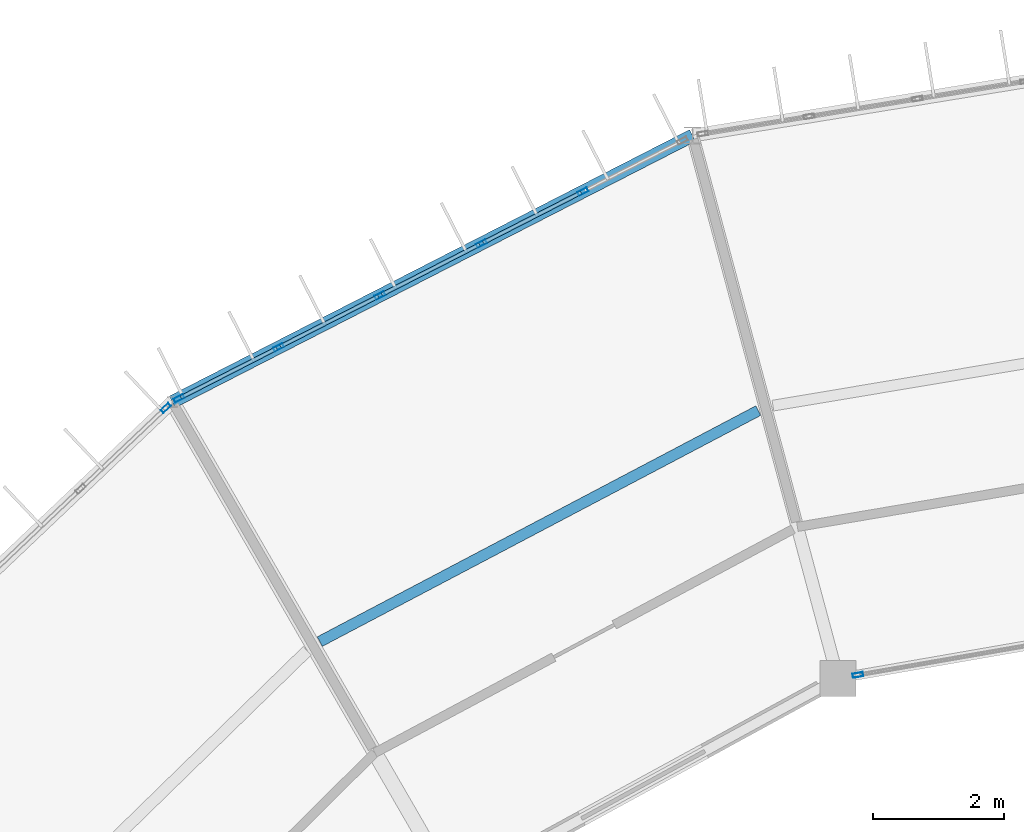
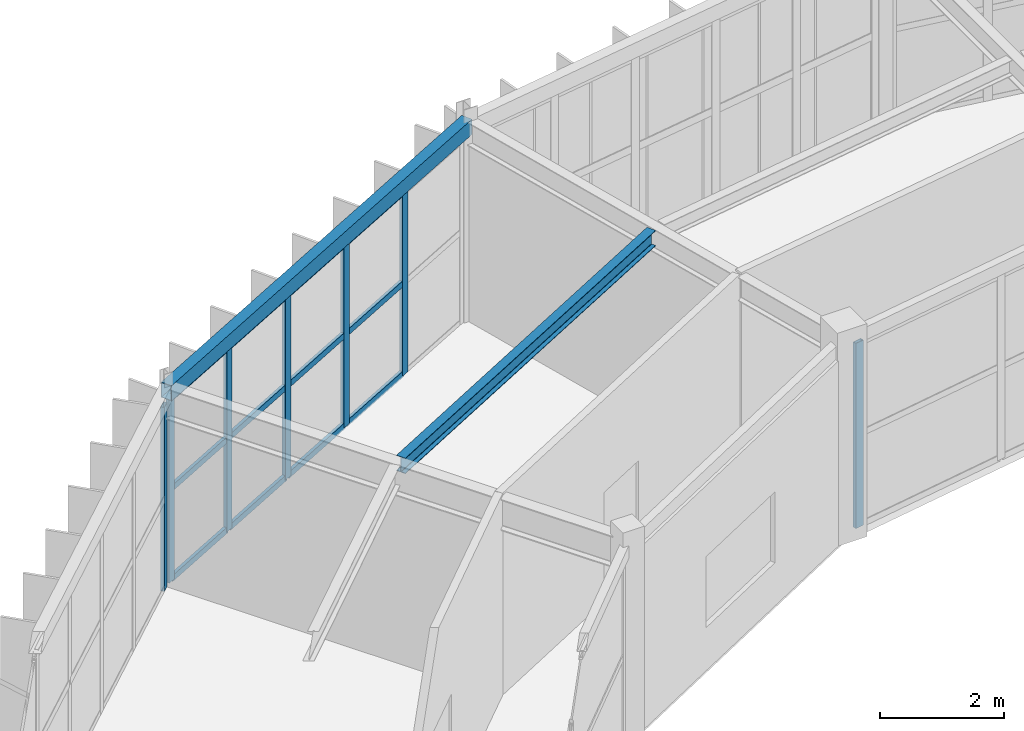
# One storey, part 90 of 157: 19 members, 2 beams, 3 elements without a shape of their own.
"""IFC4 building model written with IfcOpenShell, lengths in metres."""

import ifcopenshell
import ifcopenshell.guid

model = None  # the IFC model being written
_history = None  # IfcOwnerHistory: only IFC2X3 demands one
_inside = {}  # id of a spatial element -> (the spatial element, [elements in it])
_under = {}  # id of a project, library or spatial element -> (it, [spatial elements below it])
_declared = {}  # id of a project -> (the project, [libraries it declares])
_typed = {}  # id of a type object -> (the type object, [elements of that type])
_made_of = {}  # id of a material, layer set ... -> (it, [elements and type objects made of it])


def new_model(schema):
    """Start an empty IFC model of exactly this schema.

    Asked for "IFC4X3", IfcOpenShell would pick the latest addendum, in which some entities
    have other attributes; the version numbers below select the first issue.
    IFC2X3 requires an IfcOwnerHistory on every rooted entity: one is made here for all.
    """
    global model, _history
    if schema == "IFC4X3":
        model = ifcopenshell.file(schema_version=(4, 3, 0, 0))
    else:
        model = ifcopenshell.file(schema=schema)
    _inside.clear()
    _under.clear()
    _declared.clear()
    _typed.clear()
    _made_of.clear()
    _history = None
    if model.schema == "IFC2X3":
        org = make("IfcOrganization", Name="unknown")
        user = make(
            "IfcPersonAndOrganization",
            ThePerson=make("IfcPerson", FamilyName="unknown"),
            TheOrganization=org,
        )
        app = make(
            "IfcApplication",
            ApplicationDeveloper=org,
            Version="unknown",
            ApplicationFullName="unknown",
            ApplicationIdentifier="unknown",
        )
        _history = make(
            "IfcOwnerHistory",
            OwningUser=user,
            OwningApplication=app,
            ChangeAction="ADDED",
            CreationDate=0,
        )
    return model


def make(cls, **values):
    """One entity of the class cls with the attributes given. An attribute that is None is left unset."""
    return model.create_entity(
        cls, **{name: value for name, value in values.items() if value is not None}
    )


def rooted(cls, **values):
    """An entity with a GlobalId (a new one), such as an element, a storey or a relation."""
    return make(cls, GlobalId=ifcopenshell.guid.new(), OwnerHistory=_history, **values)


def si_unit(unit_type, name, prefix=None):
    """IfcSIUnit, for example si_unit("LENGTHUNIT", "METRE", prefix="MILLI")."""
    return make("IfcSIUnit", UnitType=unit_type, Prefix=prefix, Name=name)


def assignment(units):
    """IfcUnitAssignment: the units of a project."""
    return None if units is None else make("IfcUnitAssignment", Units=units)


def point(xyz):
    """IfcCartesianPoint."""
    return None if xyz is None else make("IfcCartesianPoint", Coordinates=xyz)


def direction(xyz):
    """IfcDirection."""
    return None if xyz is None else make("IfcDirection", DirectionRatios=xyz)


def frame(location, z_axis=None, x_axis=None):
    """IfcAxis2Placement3D, a coordinate frame: its origin and axes. An axis left out is left unset."""
    return make(
        "IfcAxis2Placement3D",
        Location=point(location),
        Axis=direction(z_axis),
        RefDirection=direction(x_axis),
    )


def frame_2d(location, x_axis=None):
    """IfcAxis2Placement2D, a coordinate frame in the plane: its origin and x axis."""
    return make(
        "IfcAxis2Placement2D", Location=point(location), RefDirection=direction(x_axis)
    )


def origin():
    """The frame at (0, 0, 0) with its axes left unset."""
    return frame((0.0, 0.0, 0.0))


def origin_2d():
    """The frame at (0, 0) in the plane with its x axis left unset."""
    return frame_2d((0.0, 0.0))


def place(relative_to, where):
    """IfcLocalPlacement: puts the frame where relative to a parent placement (None: the world)."""
    return make(
        "IfcLocalPlacement", PlacementRelTo=relative_to, RelativePlacement=where
    )


def context(
    kind, dimensions, precision=None, world=None, true_north=None, identifier=None
):
    """IfcGeometricRepresentationContext, for example the 3D "Model" context."""
    return make(
        "IfcGeometricRepresentationContext",
        ContextIdentifier=identifier,
        ContextType=kind,
        CoordinateSpaceDimension=dimensions,
        Precision=precision,
        WorldCoordinateSystem=world,
        TrueNorth=true_north,
    )


def subcontext(parent, identifier, kind, view, scale=None):
    """IfcGeometricRepresentationSubContext, for example "Body" below "Model"."""
    return make(
        "IfcGeometricRepresentationSubContext",
        ContextIdentifier=identifier,
        ContextType=kind,
        ParentContext=parent,
        TargetScale=scale,
        TargetView=view,
    )


def project(units=None, contexts=None):
    """IfcProject with its units and contexts."""
    return rooted(
        "IfcProject",
        Name="project",
        RepresentationContexts=contexts,
        UnitsInContext=assignment(units),
    )


def spatial(cls, under=None, at=None, **own):
    """A site, building, storey or space (cls), placed at a placement, below another one or the project."""
    s = rooted(cls, ObjectPlacement=at, **own)
    if under is not None:
        _under.setdefault(under.id(), (under, []))[1].append(s)
    return s


def profile(cls, at=None, kind="AREA", **sizes):
    """A parametric profile (cls). Its sizes go by their IFC names, for example OverallWidth=200.0."""
    return make(cls, ProfileType=kind, Position=at, **sizes)


def hollow_rectangle(**sizes):
    """IfcRectangleHollowProfileDef."""
    return profile("IfcRectangleHollowProfileDef", **sizes)


def i_section(**sizes):
    """IfcIShapeProfileDef."""
    return profile("IfcIShapeProfileDef", **sizes)


def extrude(swept, where, along, depth):
    """IfcExtrudedAreaSolid: the profile swept, set in the frame where, extruded along a direction by depth."""
    return make(
        "IfcExtrudedAreaSolid",
        SweptArea=swept,
        Position=where,
        ExtrudedDirection=direction(along),
        Depth=depth,
    )


def shape(context_of_items, identifier, shape_type, items):
    """IfcShapeRepresentation: the items that make up one representation, for example the "Body"."""
    return make(
        "IfcShapeRepresentation",
        ContextOfItems=context_of_items,
        RepresentationIdentifier=identifier,
        RepresentationType=shape_type,
        Items=items,
    )


def material(Name=None, Category=None):
    """IfcMaterial."""
    return make("IfcMaterial", Name=Name, Category=Category)


def material_profile(
    of_material, cross_section, Name=None, Category=None, Priority=None
):
    """IfcMaterialProfile: a cross section and its material."""
    return make(
        "IfcMaterialProfile",
        Name=Name,
        Material=of_material,
        Profile=cross_section,
        Priority=Priority,
        Category=Category,
    )


def profile_set(profiles, Name=None, composite=None):
    """IfcMaterialProfileSet."""
    return make(
        "IfcMaterialProfileSet",
        Name=Name,
        MaterialProfiles=profiles,
        CompositeProfile=composite,
    )


def made_of(thing, what):
    """Note that an element or type object is made of a material, layer set ...; save() writes the relation."""
    if what is not None:
        _made_of.setdefault(what.id(), (what, []))[1].append(thing)
    return thing


def type_object(cls, material=None, **own):
    """A type object (cls), such as IfcWallType, which elements share."""
    return made_of(rooted(cls, **own), material)


def element(
    cls,
    number,
    at=None,
    inside=None,
    cuts=None,
    type_object=None,
    material=None,
    context=None,
    identifier="Body",
    shape_type=None,
    held_by="IfcProductDefinitionShape",
    body=None,
    shapes=None,
    **own,
):
    """One element of the class cls, such as IfcWall. Its Tag is "e" and its number.

    at: its placement. inside: the storey or other place that contains it. cuts: it is an
    opening in that element (IfcRelVoidsElement). A single representation is given by context,
    identifier, shape_type and body (its items); several are given by shapes. held_by: the class
    of the entity that holds the representations. save() writes the other relations.
    """
    e = rooted(cls, Tag="e%d" % number, ObjectPlacement=at, **own)
    if body is not None:
        shapes = [shape(context, identifier, shape_type, body)]
    if shapes is not None:
        e.Representation = make(held_by, Representations=shapes)
    if inside is not None:
        _inside.setdefault(inside.id(), (inside, []))[1].append(e)
    if cuts is not None:
        rooted(
            "IfcRelVoidsElement", RelatingBuildingElement=cuts, RelatedOpeningElement=e
        )
    if type_object is not None:
        _typed.setdefault(type_object.id(), (type_object, []))[1].append(e)
    return made_of(e, material)


def aggregate(whole, parts):
    """IfcRelAggregates: a whole, such as a stair, and the parts it consists of."""
    return rooted("IfcRelAggregates", RelatingObject=whole, RelatedObjects=parts)


def save(model, path):
    """Write the relations noted so far, then the file.

    IfcRelAggregates (storeys below a building ...), IfcRelContainedInSpatialStructure (elements
    in a storey), IfcRelDefinesByType, IfcRelAssociatesMaterial and IfcRelDeclares: one each for
    every whole, place, type object, material and project.
    """
    for whole, parts in _under.values():
        aggregate(whole, parts)
    for where, things in _inside.values():
        rooted(
            "IfcRelContainedInSpatialStructure",
            RelatedElements=things,
            RelatingStructure=where,
        )
    for kind, things in _typed.values():
        rooted("IfcRelDefinesByType", RelatedObjects=things, RelatingType=kind)
    for what, things in _made_of.values():
        rooted("IfcRelAssociatesMaterial", RelatedObjects=things, RelatingMaterial=what)
    for by, libraries in _declared.values():
        rooted("IfcRelDeclares", RelatingContext=by, RelatedDefinitions=libraries)
    model.write(path)


model = new_model("IFC4")

# Units and contexts
model_context = context("Model", 3, precision=1e-05, world=origin(), true_north=direction((0.0, 1.0)))
body_context = subcontext(model_context, "Body", "Model", "MODEL_VIEW")
ifc_project = project(units=[si_unit("LENGTHUNIT", "METRE"), si_unit("AREAUNIT", "SQUARE_METRE"), si_unit("VOLUMEUNIT", "CUBIC_METRE"), si_unit("PLANEANGLEUNIT", "RADIAN"), si_unit("MASSUNIT", "GRAM", prefix="KILO")], contexts=[model_context])

# Site, building, storey
site_placement = place(None, origin())
site = spatial("IfcSite", under=ifc_project, at=site_placement, CompositionType="ELEMENT")
building_placement = place(site_placement, origin())
building = spatial("IfcBuilding", under=site, at=building_placement, Name="Karori Crest Natural Sciences Institute", CompositionType="ELEMENT")
storey_placement = place(building_placement, frame((0.0, 0.0, 13.300048828125)))
storey = spatial("IfcBuildingStorey", under=building, at=storey_placement, Name="L03", CompositionType="ELEMENT", Elevation=13.300048828125)

# Beams
ifc_material_1 = material(Name="Structural steel AS/NZS 3679.1 Grade 350", Category="steel")
ifc_material_profile_1 = material_profile(ifc_material_1, i_section(OverallWidth=0.166015625, OverallDepth=0.306884765625, WebThickness=0.006591796875, FlangeThickness=0.01171875, FilletRadius=0.010986328125, at=origin_2d()), Name="310UB46.2")
ifc_profile_set_1 = profile_set([ifc_material_profile_1], Name="Structural steel AS/NZS 3679.1 Grade 350")
beam_type_1 = type_object("IfcBeamType", Name="BT-09", PredefinedType="BEAM", material=ifc_profile_set_1)
beam_1_placement = place(storey_placement, frame((58.86572265625, 85.100341796875, 3.786376953125), z_axis=(-0.884748465601, -0.466068828197, 0.0), x_axis=(0.466068828197, -0.884748465601, 0.0)))
element("IfcBeam", 1, at=beam_1_placement, inside=storey, type_object=beam_type_1, Name="Beam B-0390", PredefinedType="BEAM", context=body_context, shape_type="SweptSolid", body=[
    extrude(i_section(OverallWidth=0.166015625, OverallDepth=0.306884765625, WebThickness=0.006591796875, FlangeThickness=0.01171875, FilletRadius=0.010986328125, at=origin_2d()), origin(), (0.0, 0.0, 1.0), 7.58349609375),
])
ifc_material_2 = material(Name="Hollow structural steel AS/NZS 1163 Grade C350", Category="steel")
ifc_material_profile_2 = material_profile(ifc_material_2, hollow_rectangle(XDim=0.199951171875, YDim=0.300048828125, WallThickness=0.010009765625, at=origin_2d()), Name="RHS300x200x10")
ifc_profile_set_2 = profile_set([ifc_material_profile_2], Name="Hollow structural steel AS/NZS 1163 Grade C350")
beam_type_2 = type_object("IfcBeamType", Name="BT-15", PredefinedType="SPANDREL", material=ifc_profile_set_2)
beam_2_placement = place(storey_placement, frame((57.85888671875, 89.309814453125, 3.7900390625), z_axis=(-0.890071733872, -0.455820478436, 0.0), x_axis=(0.455820478436, -0.890071733872, 0.0)))
element("IfcBeam", 2, at=beam_2_placement, inside=storey, type_object=beam_type_2, Name="Beam B-0387", PredefinedType="SPANDREL", context=body_context, shape_type="SweptSolid", body=[
    extrude(hollow_rectangle(XDim=0.199951171875, YDim=0.300048828125, WallThickness=0.010009765625, at=origin_2d()), origin(), (0.0, 0.0, 1.0), 8.94189453125),
])

# Curtain wall, member
ifc_material_3 = material(Name="Anodised architectural aluminium 6063-T6", Category="aluminium")
curtain_wall_type_1 = type_object("IfcCurtainWallType", Name="CWT-12", PredefinedType="NOTDEFINED", material=ifc_material_3)
curtain_wall_1_placement = place(storey_placement, origin())
curtain_wall_1 = element("IfcCurtainWall", 3, at=curtain_wall_1_placement, inside=storey, type_object=curtain_wall_type_1, Name="Curtain wall CW-0110", PredefinedType="NOTDEFINED")
ifc_material_profile_3 = material_profile(ifc_material_3, hollow_rectangle(XDim=0.06494140625, YDim=0.159912109375, WallThickness=0.00390625, at=origin_2d()), Name="CWM160x65x4")
ifc_profile_set_3 = profile_set([ifc_material_profile_3], Name="Anodised architectural aluminium 6063-T6")
member_type_1 = type_object("IfcMemberType", Name="CWM-01", PredefinedType="MULLION", material=ifc_profile_set_3)
member_1_placement = place(storey_placement, frame((60.389892578125, 81.0556640625, 0.0), z_axis=(0.0, 0.0, 1.0), x_axis=(0.171173924291, -0.985240827231, 0.0)))
member_1 = element("IfcMember", 4, at=member_1_placement, type_object=member_type_1, Name="CW-0110 mullion 3", PredefinedType="MULLION", context=body_context, shape_type="SweptSolid", body=[
    extrude(hollow_rectangle(XDim=0.06494140625, YDim=0.159912109375, WallThickness=0.00390625, at=origin_2d()), origin(), (0.0, 0.0, 1.0), 3.64990234375),
])
aggregate(curtain_wall_1, [member_1])

# Curtain wall, members
curtain_wall_type_2 = type_object("IfcCurtainWallType", Name="CWT-08", PredefinedType="NOTDEFINED", material=ifc_material_3)
curtain_wall_2_placement = place(storey_placement, origin())
curtain_wall_2 = element("IfcCurtainWall", 5, at=curtain_wall_2_placement, inside=storey, type_object=curtain_wall_type_2, Name="Curtain wall CW-0111", PredefinedType="NOTDEFINED")
member_2_placement = place(storey_placement, frame((50.004150390625, 85.287109375, 0.0), z_axis=(0.0, 0.0, 1.0), x_axis=(-0.455828878252, 0.890067432138, 0.0)))
member_2 = element("IfcMember", 6, at=member_2_placement, type_object=member_type_1, Name="CW-0111 mullion 1", PredefinedType="MULLION", context=body_context, shape_type="SweptSolid", body=[
    extrude(hollow_rectangle(XDim=0.06494140625, YDim=0.159912109375, WallThickness=0.00390625, at=origin_2d()), origin(), (0.0, 0.0, 1.0), 3.625),
])
member_3_placement = place(storey_placement, frame((51.52685546875, 86.06689453125, 0.0), z_axis=(0.0, 0.0, 1.0), x_axis=(-0.455828878252, 0.890067432138, 0.0)))
member_3 = element("IfcMember", 7, at=member_3_placement, type_object=member_type_1, Name="CW-0111 mullion 2", PredefinedType="MULLION", context=body_context, shape_type="SweptSolid", body=[
    extrude(hollow_rectangle(XDim=0.06494140625, YDim=0.159912109375, WallThickness=0.00390625, at=origin_2d()), origin(), (0.0, 0.0, 1.0), 3.625),
])
member_4_placement = place(storey_placement, frame((53.07861328125, 86.861572265625, 0.0), z_axis=(0.0, 0.0, 1.0), x_axis=(-0.455828878252, 0.890067432138, 0.0)))
member_4 = element("IfcMember", 8, at=member_4_placement, type_object=member_type_1, Name="CW-0111 mullion 3", PredefinedType="MULLION", context=body_context, shape_type="SweptSolid", body=[
    extrude(hollow_rectangle(XDim=0.06494140625, YDim=0.159912109375, WallThickness=0.00390625, at=origin_2d()), origin(), (0.0, 0.0, 1.0), 3.625),
])
member_5_placement = place(storey_placement, frame((54.63037109375, 87.65625, 0.0), z_axis=(0.0, 0.0, 1.0), x_axis=(-0.455828878252, 0.890067432138, 0.0)))
member_5 = element("IfcMember", 9, at=member_5_placement, type_object=member_type_1, Name="CW-0111 mullion 4", PredefinedType="MULLION", context=body_context, shape_type="SweptSolid", body=[
    extrude(hollow_rectangle(XDim=0.06494140625, YDim=0.159912109375, WallThickness=0.00390625, at=origin_2d()), origin(), (0.0, 0.0, 1.0), 3.625),
])
member_6_placement = place(storey_placement, frame((56.18212890625, 88.450927734375, 0.0), z_axis=(0.0, 0.0, 1.0), x_axis=(-0.455828878252, 0.890067432138, 0.0)))
member_6 = element("IfcMember", 10, at=member_6_placement, type_object=member_type_1, Name="CW-0111 mullion 5", PredefinedType="MULLION", context=body_context, shape_type="SweptSolid", body=[
    extrude(hollow_rectangle(XDim=0.06494140625, YDim=0.159912109375, WallThickness=0.00390625, at=origin_2d()), origin(), (0.0, 0.0, 1.0), 3.625),
])

# Curtain wall, member
curtain_wall_type_3 = type_object("IfcCurtainWallType", Name="CWT-09", PredefinedType="NOTDEFINED", material=ifc_material_3)
curtain_wall_3_placement = place(storey_placement, origin())
curtain_wall_3 = element("IfcCurtainWall", 11, at=curtain_wall_3_placement, inside=storey, type_object=curtain_wall_type_3, Name="Curtain wall CW-0112", PredefinedType="NOTDEFINED")
member_7_placement = place(storey_placement, frame((49.801025390625, 85.139892578125, 0.0), z_axis=(0.0, 0.0, 1.0), x_axis=(-0.688250542104, 0.725473081026, 0.0)))
member_7 = element("IfcMember", 12, at=member_7_placement, type_object=member_type_1, Name="CW-0112 mullion 6", PredefinedType="MULLION", context=body_context, shape_type="SweptSolid", body=[
    extrude(hollow_rectangle(XDim=0.06494140625, YDim=0.159912109375, WallThickness=0.00390625, at=origin_2d()), origin(), (0.0, 0.0, 1.0), 3.625),
])
aggregate(curtain_wall_3, [member_7])

# Member
ifc_material_profile_4 = material_profile(ifc_material_3, hollow_rectangle(XDim=0.06005859375, YDim=0.1201171875, WallThickness=0.00390625, at=origin_2d()), Name="CWT120x60x4")
ifc_profile_set_4 = profile_set([ifc_material_profile_4], Name="Anodised architectural aluminium 6063-T6")
member_type_2 = type_object("IfcMemberType", Name="CWT-TR1", PredefinedType="USERDEFINED", material=ifc_profile_set_4)
member_8_placement = place(storey_placement, frame((50.032958984375, 85.302001953125, 0.030029296875), z_axis=(0.890084461025, 0.455795625518, 0.0), x_axis=(-0.455795625518, 0.890084461025, 0.0)))
member_8 = element("IfcMember", 13, at=member_8_placement, type_object=member_type_2, Name="CW-0111 transom 1.1", ObjectType="TRANSOM", PredefinedType="USERDEFINED", context=body_context, shape_type="SweptSolid", body=[
    extrude(hollow_rectangle(XDim=0.06005859375, YDim=0.1201171875, WallThickness=0.00390625, at=origin_2d()), origin(), (0.0, 0.0, 1.0), 1.64599609375),
])

member_9_placement = place(storey_placement, frame((50.032958984375, 85.302001953125, 1.8125), z_axis=(0.890084461025, 0.455795625518, 0.0), x_axis=(-0.455795625518, 0.890084461025, 0.0)))
member_9 = element("IfcMember", 14, at=member_9_placement, type_object=member_type_2, Name="CW-0111 transom 1.2", ObjectType="TRANSOM", PredefinedType="USERDEFINED", context=body_context, shape_type="SweptSolid", body=[
    extrude(hollow_rectangle(XDim=0.06005859375, YDim=0.1201171875, WallThickness=0.00390625, at=origin_2d()), origin(), (0.0, 0.0, 1.0), 1.64599609375),
])

member_10_placement = place(storey_placement, frame((50.032958984375, 85.302001953125, 3.594970703125), z_axis=(0.890084461025, 0.455795625518, 0.0), x_axis=(-0.455795625518, 0.890084461025, 0.0)))
member_10 = element("IfcMember", 15, at=member_10_placement, type_object=member_type_2, Name="CW-0111 transom 1.3", ObjectType="TRANSOM", PredefinedType="USERDEFINED", context=body_context, shape_type="SweptSolid", body=[
    extrude(hollow_rectangle(XDim=0.06005859375, YDim=0.1201171875, WallThickness=0.00390625, at=origin_2d()), origin(), (0.0, 0.0, 1.0), 1.64599609375),
])

member_11_placement = place(storey_placement, frame((51.555908203125, 86.081787109375, 0.030029296875), z_axis=(0.890050562189, 0.455861817601, 0.0), x_axis=(-0.455861817601, 0.890050562189, 0.0)))
member_11 = element("IfcMember", 16, at=member_11_placement, type_object=member_type_2, Name="CW-0111 transom 2.1", ObjectType="TRANSOM", PredefinedType="USERDEFINED", context=body_context, shape_type="SweptSolid", body=[
    extrude(hollow_rectangle(XDim=0.06005859375, YDim=0.1201171875, WallThickness=0.00390625, at=origin_2d()), origin(), (0.0, 0.0, 1.0), 1.678466796875),
])

member_12_placement = place(storey_placement, frame((51.555908203125, 86.081787109375, 1.8125), z_axis=(0.890050562189, 0.455861817601, 0.0), x_axis=(-0.455861817601, 0.890050562189, 0.0)))
member_12 = element("IfcMember", 17, at=member_12_placement, type_object=member_type_2, Name="CW-0111 transom 2.2", ObjectType="TRANSOM", PredefinedType="USERDEFINED", context=body_context, shape_type="SweptSolid", body=[
    extrude(hollow_rectangle(XDim=0.06005859375, YDim=0.1201171875, WallThickness=0.00390625, at=origin_2d()), origin(), (0.0, 0.0, 1.0), 1.678466796875),
])

member_13_placement = place(storey_placement, frame((51.555908203125, 86.081787109375, 3.594970703125), z_axis=(0.890050562189, 0.455861817601, 0.0), x_axis=(-0.455861817601, 0.890050562189, 0.0)))
member_13 = element("IfcMember", 18, at=member_13_placement, type_object=member_type_2, Name="CW-0111 transom 2.3", ObjectType="TRANSOM", PredefinedType="USERDEFINED", context=body_context, shape_type="SweptSolid", body=[
    extrude(hollow_rectangle(XDim=0.06005859375, YDim=0.1201171875, WallThickness=0.00390625, at=origin_2d()), origin(), (0.0, 0.0, 1.0), 1.678466796875),
])

member_14_placement = place(storey_placement, frame((53.107666015625, 86.87646484375, 0.030029296875), z_axis=(0.890020328927, 0.455920841919, 0.0), x_axis=(-0.455920841919, 0.890020328927, 0.0)))
member_14 = element("IfcMember", 19, at=member_14_placement, type_object=member_type_2, Name="CW-0111 transom 3.1", ObjectType="TRANSOM", PredefinedType="USERDEFINED", context=body_context, shape_type="SweptSolid", body=[
    extrude(hollow_rectangle(XDim=0.06005859375, YDim=0.1201171875, WallThickness=0.00390625, at=origin_2d()), origin(), (0.0, 0.0, 1.0), 1.67822265625),
])

member_15_placement = place(storey_placement, frame((53.107666015625, 86.87646484375, 1.8125), z_axis=(0.890020328927, 0.455920841919, 0.0), x_axis=(-0.455920841919, 0.890020328927, 0.0)))
member_15 = element("IfcMember", 20, at=member_15_placement, type_object=member_type_2, Name="CW-0111 transom 3.2", ObjectType="TRANSOM", PredefinedType="USERDEFINED", context=body_context, shape_type="SweptSolid", body=[
    extrude(hollow_rectangle(XDim=0.06005859375, YDim=0.1201171875, WallThickness=0.00390625, at=origin_2d()), origin(), (0.0, 0.0, 1.0), 1.67822265625),
])

member_16_placement = place(storey_placement, frame((53.107666015625, 86.87646484375, 3.594970703125), z_axis=(0.890020328927, 0.455920841919, 0.0), x_axis=(-0.455920841919, 0.890020328927, 0.0)))
member_16 = element("IfcMember", 21, at=member_16_placement, type_object=member_type_2, Name="CW-0111 transom 3.3", ObjectType="TRANSOM", PredefinedType="USERDEFINED", context=body_context, shape_type="SweptSolid", body=[
    extrude(hollow_rectangle(XDim=0.06005859375, YDim=0.1201171875, WallThickness=0.00390625, at=origin_2d()), origin(), (0.0, 0.0, 1.0), 1.67822265625),
])

member_17_placement = place(storey_placement, frame((54.6591796875, 87.671142578125, 0.030029296875), z_axis=(0.890050562189, 0.455861817601, 0.0), x_axis=(-0.455861817601, 0.890050562189, 0.0)))
member_17 = element("IfcMember", 22, at=member_17_placement, type_object=member_type_2, Name="CW-0111 transom 4.1", ObjectType="TRANSOM", PredefinedType="USERDEFINED", context=body_context, shape_type="SweptSolid", body=[
    extrude(hollow_rectangle(XDim=0.06005859375, YDim=0.1201171875, WallThickness=0.00390625, at=origin_2d()), origin(), (0.0, 0.0, 1.0), 1.678466796875),
])

member_18_placement = place(storey_placement, frame((54.6591796875, 87.671142578125, 1.8125), z_axis=(0.890050562189, 0.455861817601, 0.0), x_axis=(-0.455861817601, 0.890050562189, 0.0)))
member_18 = element("IfcMember", 23, at=member_18_placement, type_object=member_type_2, Name="CW-0111 transom 4.2", ObjectType="TRANSOM", PredefinedType="USERDEFINED", context=body_context, shape_type="SweptSolid", body=[
    extrude(hollow_rectangle(XDim=0.06005859375, YDim=0.1201171875, WallThickness=0.00390625, at=origin_2d()), origin(), (0.0, 0.0, 1.0), 1.678466796875),
])

member_19_placement = place(storey_placement, frame((54.6591796875, 87.671142578125, 3.594970703125), z_axis=(0.890050562189, 0.455861817601, 0.0), x_axis=(-0.455861817601, 0.890050562189, 0.0)))
member_19 = element("IfcMember", 24, at=member_19_placement, type_object=member_type_2, Name="CW-0111 transom 4.3", ObjectType="TRANSOM", PredefinedType="USERDEFINED", context=body_context, shape_type="SweptSolid", body=[
    extrude(hollow_rectangle(XDim=0.06005859375, YDim=0.1201171875, WallThickness=0.00390625, at=origin_2d()), origin(), (0.0, 0.0, 1.0), 1.678466796875),
])

aggregate(curtain_wall_2, [member_2, member_3, member_4, member_5, member_6, member_8, member_9, member_10, member_11, member_12, member_13, member_14, member_15, member_16, member_17, member_18, member_19])

save(model, "model.ifc")
